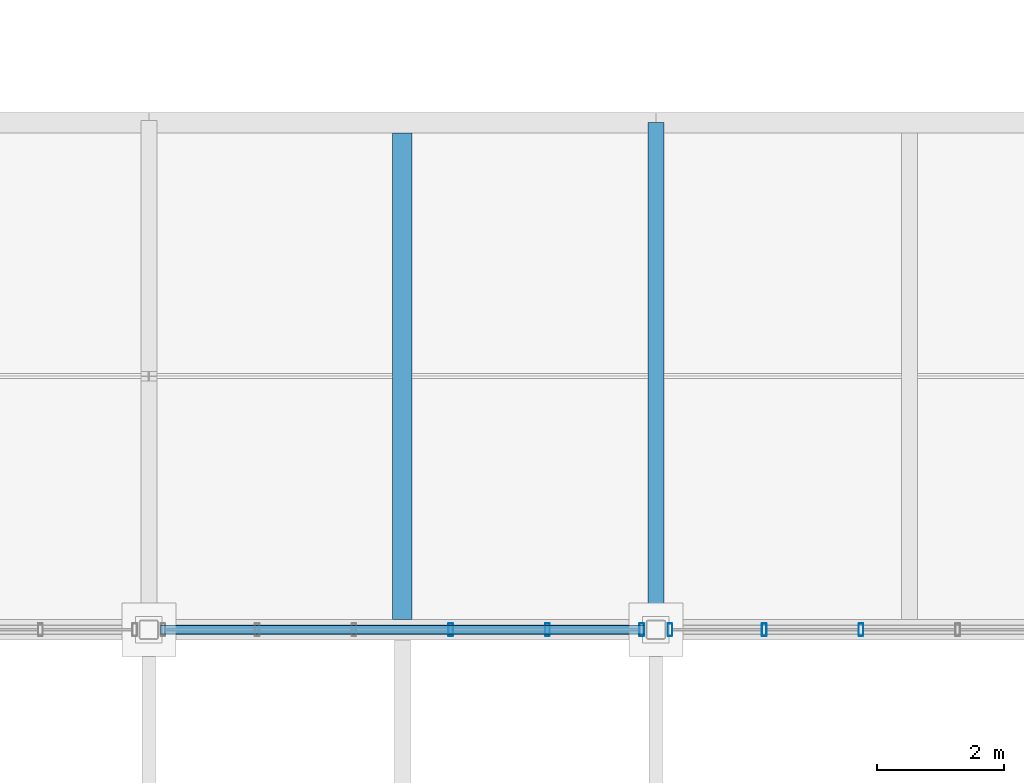
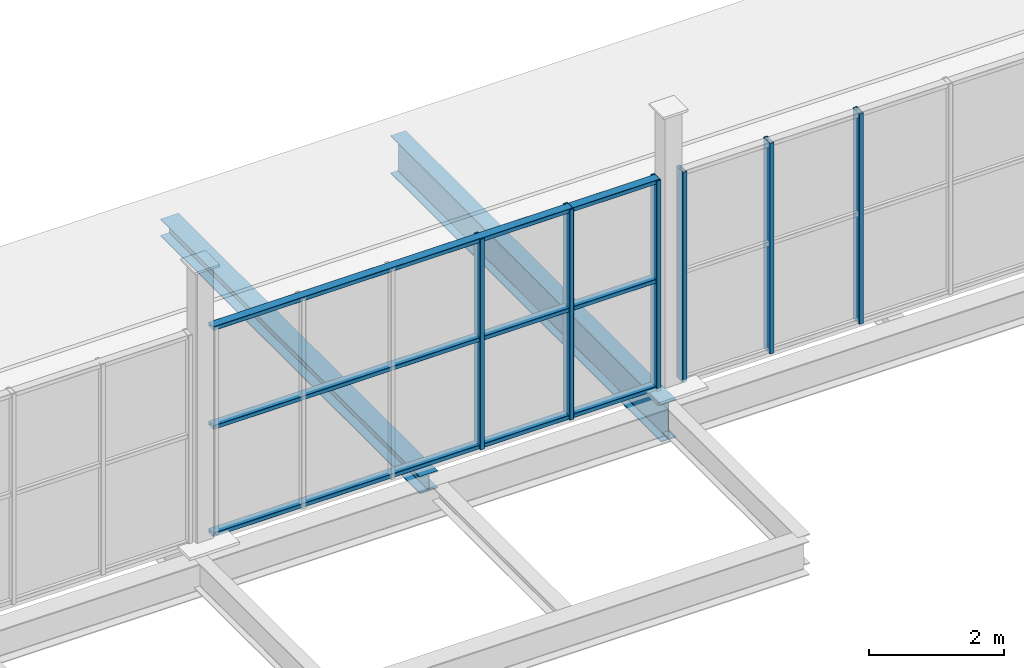
# One storey, part 53 of 96: 9 members, 2 beams, 2 elements without a shape of their own.
"""IFC4 building model written with IfcOpenShell, lengths in metres."""

from ifc_helpers import new_model, si_unit, direction, frame, origin, origin_2d, place, context, subcontext, project, spatial, hollow_rectangle, i_section, extrude, material, material_profile, profile_set, type_object, element, aggregate, save


model = new_model("IFC4")

# Units and contexts
model_context = context("Model", 3, precision=1e-05, world=origin(), true_north=direction((0.0, 1.0)))
body_context = subcontext(model_context, "Body", "Model", "MODEL_VIEW")
ifc_project = project(units=[si_unit("LENGTHUNIT", "METRE"), si_unit("AREAUNIT", "SQUARE_METRE"), si_unit("VOLUMEUNIT", "CUBIC_METRE"), si_unit("PLANEANGLEUNIT", "RADIAN"), si_unit("MASSUNIT", "GRAM", prefix="KILO")], contexts=[model_context])

# Site, building, storey
site_placement = place(None, origin())
site = spatial("IfcSite", under=ifc_project, at=site_placement, CompositionType="ELEMENT")
building_placement = place(site_placement, origin())
building = spatial("IfcBuilding", under=site, at=building_placement, Name="Verrall Gate Interchange", CompositionType="ELEMENT")
storey_placement = place(building_placement, frame((0.0, 0.0, 11.39990234375)))
storey = spatial("IfcBuildingStorey", under=building, at=storey_placement, Name="L03", CompositionType="ELEMENT", Elevation=11.39990234375)

# Beam
ifc_material_1 = material(Name="Structural Steel CSA G40.21 350WT Cat 4", Category="steel")
ifc_material_profile_1 = material_profile(ifc_material_1, i_section(OverallWidth=0.256103515625, OverallDepth=0.693115234375, WebThickness=0.01318359375, FlangeThickness=0.02001953125, FilletRadius=0.01611328125, at=origin_2d()), Name="W690x170")
ifc_profile_set_1 = profile_set([ifc_material_profile_1], Name="Structural Steel CSA G40.21 350WT Cat 4")
beam_type_1 = type_object("IfcBeamType", Name="B-07 Structural Beam W690x170", PredefinedType="BEAM", material=ifc_profile_set_1)
beam_1_placement = place(storey_placement, frame((100.0, 48.0, -0.676513671875), z_axis=(0.0, 1.0, 0.0), x_axis=(-1.0, 0.0, 0.0)))
element("IfcBeam", 1, at=beam_1_placement, inside=storey, type_object=beam_type_1, Name="L03 Girder BM-L03-2310 (B-07)", PredefinedType="BEAM", context=body_context, shape_type="SweptSolid", body=[
    extrude(i_section(OverallWidth=0.256103515625, OverallDepth=0.693115234375, WebThickness=0.01318359375, FlangeThickness=0.02001953125, FilletRadius=0.01611328125, at=origin_2d()), origin(), (0.0, 0.0, 1.0), 8.0),
])

# Curtain wall, members
ifc_material_2 = material(Name="Thermally Broken Anodized Aluminium Curtain Wall Framing", Category="aluminium")
curtain_wall_type = type_object("IfcCurtainWallType", Name="CW-53 Unitized Curtain Wall 7631x3800", PredefinedType="NOTDEFINED", material=ifc_material_2)
curtain_wall_1_placement = place(storey_placement, origin())
curtain_wall_1 = element("IfcCurtainWall", 2, at=curtain_wall_1_placement, inside=storey, type_object=curtain_wall_type, Name="L03 Unitized Curtain Wall CW-L03-CLR-180", PredefinedType="NOTDEFINED")
ifc_material_3 = material(Name="Thermally Broken Anodized Aluminium Curtain Wall Framing", Category="aluminium")
ifc_material_profile_2 = material_profile(ifc_material_3, hollow_rectangle(XDim=0.074951171875, YDim=0.199951171875, WallThickness=0.0048828125, InnerFilletRadius=0.0048828125, OuterFilletRadius=0.010009765625, at=origin_2d()), Name="CWM200x75x5")
ifc_profile_set_2 = profile_set([ifc_material_profile_2], Name="Thermally Broken Anodized Aluminium Curtain Wall Framing")
member_type_1 = type_object("IfcMemberType", Name="CM-02 Curtain Mullion CWM200x75x5", PredefinedType="MULLION", material=ifc_profile_set_2)
member_1_placement = place(storey_placement, frame((96.76318359375, 48.0, 0.0), z_axis=(0.0, 0.0, 1.0), x_axis=(1.0, 0.0, 0.0)))
member_1 = element("IfcMember", 3, at=member_1_placement, type_object=member_type_1, Name="CW-L03-CLR-180 Mullion 4", PredefinedType="MULLION", context=body_context, shape_type="SweptSolid", body=[
    extrude(hollow_rectangle(XDim=0.074951171875, YDim=0.199951171875, WallThickness=0.0048828125, InnerFilletRadius=0.0048828125, OuterFilletRadius=0.010009765625, at=origin_2d()), origin(), (0.0, 0.0, 1.0), 3.800048828125),
])
member_2_placement = place(storey_placement, frame((98.289306640625, 48.0, 0.0), z_axis=(0.0, 0.0, 1.0), x_axis=(1.0, 0.0, 0.0)))
member_2 = element("IfcMember", 4, at=member_2_placement, type_object=member_type_1, Name="CW-L03-CLR-180 Mullion 5", PredefinedType="MULLION", context=body_context, shape_type="SweptSolid", body=[
    extrude(hollow_rectangle(XDim=0.074951171875, YDim=0.199951171875, WallThickness=0.0048828125, InnerFilletRadius=0.0048828125, OuterFilletRadius=0.010009765625, at=origin_2d()), origin(), (0.0, 0.0, 1.0), 3.800048828125),
])
member_3_placement = place(storey_placement, frame((99.778076171875, 48.0, 0.0), z_axis=(0.0, 0.0, 1.0), x_axis=(1.0, 0.0, 0.0)))
member_3 = element("IfcMember", 5, at=member_3_placement, type_object=member_type_1, Name="CW-L03-CLR-180 Mullion 6", PredefinedType="MULLION", context=body_context, shape_type="SweptSolid", body=[
    extrude(hollow_rectangle(XDim=0.074951171875, YDim=0.199951171875, WallThickness=0.0048828125, InnerFilletRadius=0.0048828125, OuterFilletRadius=0.010009765625, at=origin_2d()), origin(), (0.0, 0.0, 1.0), 3.800048828125),
])

curtain_wall_2_placement = place(storey_placement, origin())
curtain_wall_2 = element("IfcCurtainWall", 6, at=curtain_wall_2_placement, inside=storey, type_object=curtain_wall_type, Name="L03 Unitized Curtain Wall CW-L03-CLR-181", PredefinedType="NOTDEFINED")
member_4_placement = place(storey_placement, frame((100.221923828125, 48.0, 0.0), z_axis=(0.0, 0.0, 1.0), x_axis=(1.0, 0.0, 0.0)))
member_4 = element("IfcMember", 7, at=member_4_placement, type_object=member_type_1, Name="CW-L03-CLR-181 Mullion 1", PredefinedType="MULLION", context=body_context, shape_type="SweptSolid", body=[
    extrude(hollow_rectangle(XDim=0.074951171875, YDim=0.199951171875, WallThickness=0.0048828125, InnerFilletRadius=0.0048828125, OuterFilletRadius=0.010009765625, at=origin_2d()), origin(), (0.0, 0.0, 1.0), 3.800048828125),
])
member_5_placement = place(storey_placement, frame((101.710693359375, 48.0, 0.0), z_axis=(0.0, 0.0, 1.0), x_axis=(1.0, 0.0, 0.0)))
member_5 = element("IfcMember", 8, at=member_5_placement, type_object=member_type_1, Name="CW-L03-CLR-181 Mullion 2", PredefinedType="MULLION", context=body_context, shape_type="SweptSolid", body=[
    extrude(hollow_rectangle(XDim=0.074951171875, YDim=0.199951171875, WallThickness=0.0048828125, InnerFilletRadius=0.0048828125, OuterFilletRadius=0.010009765625, at=origin_2d()), origin(), (0.0, 0.0, 1.0), 3.800048828125),
])
member_6_placement = place(storey_placement, frame((103.23681640625, 48.0, 0.0), z_axis=(0.0, 0.0, 1.0), x_axis=(1.0, 0.0, 0.0)))
member_6 = element("IfcMember", 9, at=member_6_placement, type_object=member_type_1, Name="CW-L03-CLR-181 Mullion 3", PredefinedType="MULLION", context=body_context, shape_type="SweptSolid", body=[
    extrude(hollow_rectangle(XDim=0.074951171875, YDim=0.199951171875, WallThickness=0.0048828125, InnerFilletRadius=0.0048828125, OuterFilletRadius=0.010009765625, at=origin_2d()), origin(), (0.0, 0.0, 1.0), 3.800048828125),
])
aggregate(curtain_wall_2, [member_4, member_5, member_6])

# Member
ifc_material_4 = material(Name="Thermally Broken Anodized Aluminium Curtain Wall Framing", Category="aluminium")
ifc_material_profile_3 = material_profile(ifc_material_4, hollow_rectangle(XDim=0.14990234375, YDim=0.074951171875, WallThickness=0.00439453125, InnerFilletRadius=0.00439453125, OuterFilletRadius=0.009033203125, at=origin_2d()), Name="CWT150x75x4.5")
ifc_profile_set_3 = profile_set([ifc_material_profile_3], Name="Thermally Broken Anodized Aluminium Curtain Wall Framing")
member_type_2 = type_object("IfcMemberType", Name="CT-02 Curtain Transom CWT150x75x4.5", PredefinedType="USERDEFINED", material=ifc_profile_set_3)
member_7_placement = place(storey_placement, frame((92.1845703125, 48.0, 0.03759765625), z_axis=(1.0, 0.0, 0.0), x_axis=(0.0, 1.0, 0.0)))
member_7 = element("IfcMember", 10, at=member_7_placement, type_object=member_type_2, Name="CW-L03-CLR-180 Transom 1", ObjectType="TRANSOM", PredefinedType="USERDEFINED", context=body_context, shape_type="SweptSolid", body=[
    extrude(hollow_rectangle(XDim=0.14990234375, YDim=0.074951171875, WallThickness=0.00439453125, InnerFilletRadius=0.00439453125, OuterFilletRadius=0.009033203125, at=origin_2d()), origin(), (0.0, 0.0, 1.0), 7.630859375),
])

member_8_placement = place(storey_placement, frame((92.1845703125, 48.0, 1.97607421875), z_axis=(1.0, 0.0, 0.0), x_axis=(0.0, 1.0, 0.0)))
member_8 = element("IfcMember", 11, at=member_8_placement, type_object=member_type_2, Name="CW-L03-CLR-180 Transom 2", ObjectType="TRANSOM", PredefinedType="USERDEFINED", context=body_context, shape_type="SweptSolid", body=[
    extrude(hollow_rectangle(XDim=0.14990234375, YDim=0.074951171875, WallThickness=0.00439453125, InnerFilletRadius=0.00439453125, OuterFilletRadius=0.009033203125, at=origin_2d()), origin(), (0.0, 0.0, 1.0), 7.630859375),
])

member_9_placement = place(storey_placement, frame((92.1845703125, 48.0, 3.7626953125), z_axis=(1.0, 0.0, 0.0), x_axis=(0.0, 1.0, 0.0)))
member_9 = element("IfcMember", 12, at=member_9_placement, type_object=member_type_2, Name="CW-L03-CLR-180 Transom 3", ObjectType="TRANSOM", PredefinedType="USERDEFINED", context=body_context, shape_type="SweptSolid", body=[
    extrude(hollow_rectangle(XDim=0.14990234375, YDim=0.074951171875, WallThickness=0.00439453125, InnerFilletRadius=0.00439453125, OuterFilletRadius=0.009033203125, at=origin_2d()), origin(), (0.0, 0.0, 1.0), 7.630859375),
])

aggregate(curtain_wall_1, [member_1, member_2, member_3, member_7, member_8, member_9])

# Beam
ifc_material_5 = material(Name="Structural Steel CSA G40.21 350W", Category="steel")
ifc_material_profile_4 = material_profile(ifc_material_5, i_section(OverallWidth=0.306884765625, OverallDepth=0.31396484375, WebThickness=0.011962890625, FlangeThickness=0.018798828125, FilletRadius=0.013916015625, at=origin_2d()), Name="W310x118")
ifc_profile_set_4 = profile_set([ifc_material_profile_4], Name="Structural Steel CSA G40.21 350W")
beam_type_2 = type_object("IfcBeamType", Name="J-02 Floor Joist W310x118", PredefinedType="JOIST", material=ifc_profile_set_4)
beam_2_placement = place(storey_placement, frame((96.0, 48.162109375, -0.48681640625), z_axis=(0.0, 1.0, 0.0), x_axis=(-1.0, 0.0, 0.0)))
element("IfcBeam", 13, at=beam_2_placement, inside=storey, type_object=beam_type_2, Name="L03 Secondary Floor Joist JST-L03-2490", PredefinedType="JOIST", context=body_context, shape_type="SweptSolid", body=[
    extrude(i_section(OverallWidth=0.306884765625, OverallDepth=0.31396484375, WebThickness=0.011962890625, FlangeThickness=0.018798828125, FilletRadius=0.013916015625, at=origin_2d()), origin(), (0.0, 0.0, 1.0), 7.67578125),
])

save(model, "model.ifc")
